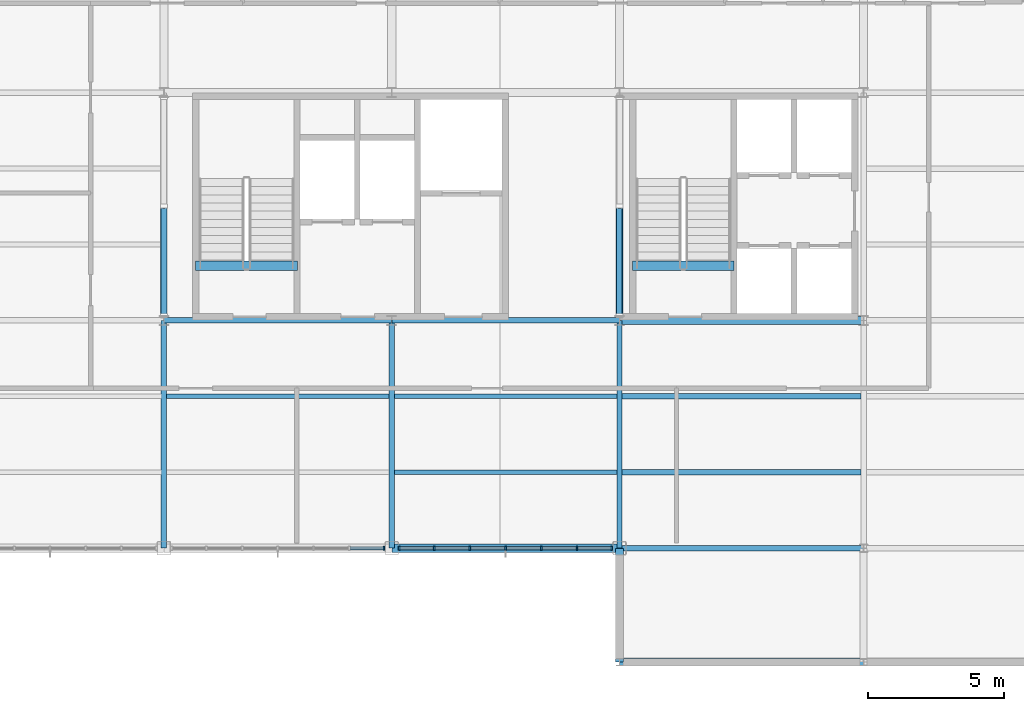
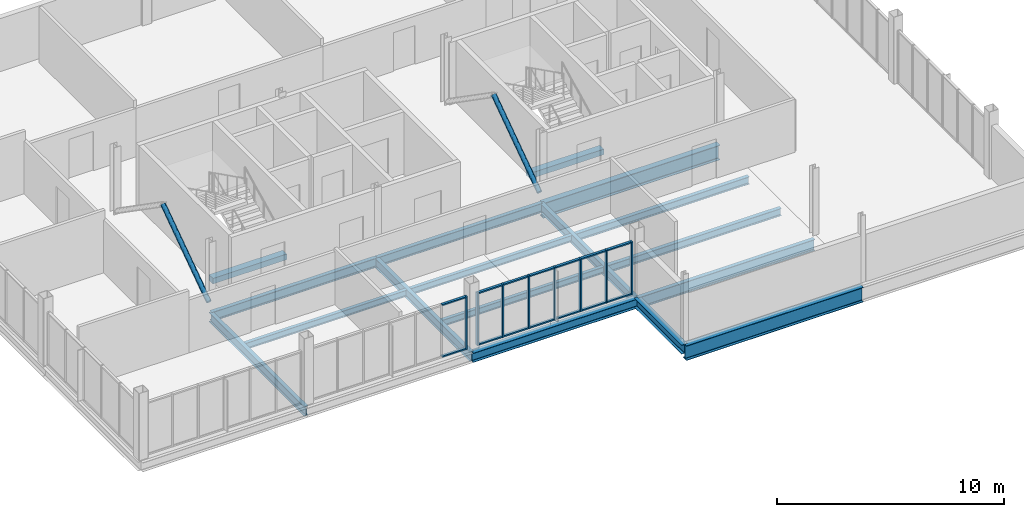
# One storey, part 5 of 16: 24 members, 17 beams, 2 elements without a shape of their own.
"""IFC4 building model written with IfcOpenShell, lengths in metres."""

from ifc_helpers import new_model, si_unit, direction, frame, origin, origin_2d, place, context, subcontext, project, spatial, rectangle, hollow_circle, i_section, extrude, material, layer, layer_set, material_profile, profile_set, type_object, element, aggregate, save


model = new_model("IFC4")

# Units and contexts
model_context = context("Model", 3, precision=1e-05, world=origin(), true_north=direction((0.0, 1.0)))
body_context = subcontext(model_context, "Body", "Model", "MODEL_VIEW")
ifc_project = project(units=[si_unit("LENGTHUNIT", "METRE"), si_unit("AREAUNIT", "SQUARE_METRE"), si_unit("VOLUMEUNIT", "CUBIC_METRE"), si_unit("PLANEANGLEUNIT", "RADIAN"), si_unit("MASSUNIT", "GRAM", prefix="KILO")], contexts=[model_context])

# Site, building, storey
site_placement = place(None, origin())
site = spatial("IfcSite", under=ifc_project, at=site_placement, CompositionType="ELEMENT")
building_placement = place(site_placement, origin())
building = spatial("IfcBuilding", under=site, at=building_placement, Name="Yukiwa Park Conservatory and Herbarium", CompositionType="ELEMENT")
storey_placement = place(building_placement, frame((0.0, 0.0, 39.60009765625)))
storey = spatial("IfcBuildingStorey", under=building, at=storey_placement, Name="L10", CompositionType="ELEMENT", Elevation=39.60009765625)

# Beams
ifc_material_1 = material(Name="Steel Q355D", Category="steel")
ifc_material_profile_1 = material_profile(ifc_material_1, i_section(OverallWidth=0.198974609375, OverallDepth=0.49609375, WebThickness=0.009033203125, FlangeThickness=0.013916015625, FilletRadius=0.02001953125, at=origin_2d()), Name="HN 496x199x9x14")
ifc_profile_set_1 = profile_set([ifc_material_profile_1], Name="Steel Q355D")
beam_type_1 = type_object("IfcBeamType", Name="BM-GRD-HN496", PredefinedType="BEAM", material=ifc_profile_set_1)
for number, where, z_axis, x_axis, name in (
    (1, (133.2060546875, 94.800048828125, -0.5), (1.0, 0.0, 0.0), (0.0, 1.0, 0.0), "L10 grid beam X-9"),
    (2, (141.60595703125, 94.800048828125, -0.5), (1.0, 0.0, 0.0), (0.0, 1.0, 0.0), "L10 grid beam X-10"),
):
    element("IfcBeam", number, at=place(storey_placement, frame(where, z_axis=z_axis, x_axis=x_axis)), inside=storey, type_object=beam_type_1, Name=name, PredefinedType="BEAM", context=body_context, shape_type="SweptSolid", body=[
        extrude(i_section(OverallWidth=0.198974609375, OverallDepth=0.49609375, WebThickness=0.009033203125, FlangeThickness=0.013916015625, FilletRadius=0.02001953125, at=origin_2d()), origin(), (0.0, 0.0, 1.0), 8.387939453125),
    ])
ifc_material_2 = material(Name="Steel Q355D", Category="steel")
ifc_material_profile_2 = material_profile(ifc_material_2, i_section(OverallWidth=0.199951171875, OverallDepth=0.5, WebThickness=0.010009765625, FlangeThickness=0.01611328125, FilletRadius=0.02001953125, at=origin_2d()), Name="HN 500x200x10x16")
ifc_profile_set_2 = profile_set([ifc_material_profile_2], Name="Steel Q355D")
beam_type_2 = type_object("IfcBeamType", Name="BM-GRD-HN500", PredefinedType="BEAM", material=ifc_profile_set_2)
for number, where, z_axis, x_axis, name in (
    (3, (133.199951171875, 86.406005859375, -0.502197265625), (0.0, 1.0, 0.0), (-1.0, 0.0, 0.0), "L10 grid girder Y-26"),
    (4, (141.60009765625, 86.406005859375, -0.502197265625), (0.0, 1.0, 0.0), (-1.0, 0.0, 0.0), "L10 grid girder Y-29"),
    (5, (150.0, 86.406005859375, -0.502197265625), (0.0, 1.0, 0.0), (-1.0, 0.0, 0.0), "L10 grid girder Y-32"),
):
    element("IfcBeam", number, at=place(storey_placement, frame(where, z_axis=z_axis, x_axis=x_axis)), inside=storey, type_object=beam_type_2, Name=name, PredefinedType="BEAM", context=body_context, shape_type="SweptSolid", body=[
        extrude(i_section(OverallWidth=0.199951171875, OverallDepth=0.5, WebThickness=0.010009765625, FlangeThickness=0.01611328125, FilletRadius=0.02001953125, at=origin_2d()), origin(), (0.0, 0.0, 1.0), 8.387939453125),
    ])
ifc_material_3 = material(Name="Steel Q355D", Category="steel")
ifc_material_profile_3 = material_profile(ifc_material_3, i_section(OverallWidth=0.199951171875, OverallDepth=0.60009765625, WebThickness=0.010986328125, FlangeThickness=0.01708984375, FilletRadius=0.02197265625, at=origin_2d()), Name="HN 600x200x11x17")
ifc_profile_set_3 = profile_set([ifc_material_profile_3], Name="Steel Q355D")
beam_type_3 = type_object("IfcBeamType", Name="BM-GRD-HN600", PredefinedType="BEAM", material=ifc_profile_set_3)
beam_1_placement = place(storey_placement, frame((150.006103515625, 86.39990234375, -0.552001953125), z_axis=(1.0, 0.0, 0.0), x_axis=(0.0, 1.0, 0.0)))
element("IfcBeam", 6, at=beam_1_placement, inside=storey, type_object=beam_type_3, Name="L10 grid beam X-6", PredefinedType="BEAM", context=body_context, shape_type="SweptSolid", body=[
    extrude(i_section(OverallWidth=0.199951171875, OverallDepth=0.60009765625, WebThickness=0.010986328125, FlangeThickness=0.01708984375, FilletRadius=0.02197265625, at=origin_2d()), origin(), (0.0, 0.0, 1.0), 8.98779296875),
])
ifc_material_4 = material(Name="Steel Q355D", Category="steel")
ifc_material_profile_4 = material_profile(ifc_material_4, i_section(OverallWidth=0.174072265625, OverallDepth=0.345947265625, WebThickness=0.006103515625, FlangeThickness=0.009033203125, FilletRadius=0.013916015625, at=origin_2d()), Name="HN 346x174x6x9")
ifc_profile_set_4 = profile_set([ifc_material_profile_4], Name="Steel Q355D")
beam_type_4 = type_object("IfcBeamType", Name="BM-JST-HN346", PredefinedType="JOIST", material=ifc_profile_set_4)
for number, where, z_axis, x_axis, name in (
    (7, (133.2958984375, 92.0, -0.425048828125), (1.0, 0.0, 0.0), (0.0, 1.0, 0.0), "L10 composite floor joist 8"),
    (8, (141.696044921875, 89.199951171875, -0.425048828125), (1.0, 0.0, 0.0), (0.0, 1.0, 0.0), "L10 composite floor joist 11"),
    (9, (141.696044921875, 92.0, -0.425048828125), (1.0, 0.0, 0.0), (0.0, 1.0, 0.0), "L10 composite floor joist 12"),
):
    element("IfcBeam", number, at=place(storey_placement, frame(where, z_axis=z_axis, x_axis=x_axis)), inside=storey, type_object=beam_type_4, Name=name, PredefinedType="JOIST", context=body_context, shape_type="SweptSolid", body=[
        extrude(i_section(OverallWidth=0.174072265625, OverallDepth=0.345947265625, WebThickness=0.006103515625, FlangeThickness=0.009033203125, FilletRadius=0.013916015625, at=origin_2d()), origin(), (0.0, 0.0, 1.0), 8.2080078125),
    ])
ifc_material_5 = material(Name="Steel Q355D", Category="steel")
ifc_material_profile_5 = material_profile(ifc_material_5, i_section(OverallWidth=0.198974609375, OverallDepth=0.39599609375, WebThickness=0.007080078125, FlangeThickness=0.010986328125, FilletRadius=0.01611328125, at=origin_2d()), Name="HN 396x199x7x11")
ifc_profile_set_5 = profile_set([ifc_material_profile_5], Name="Steel Q355D")
beam_type_5 = type_object("IfcBeamType", Name="BM-JST-HN396", PredefinedType="JOIST", material=ifc_profile_set_5)
for number, where, z_axis, x_axis, name in (
    (10, (150.095947265625, 89.199951171875, -0.4501953125), (1.0, 0.0, 0.0), (0.0, 1.0, 0.0), "L10 composite floor joist 15"),
    (11, (150.095947265625, 92.0, -0.4501953125), (1.0, 0.0, 0.0), (0.0, 1.0, 0.0), "L10 composite floor joist 16"),
):
    element("IfcBeam", number, at=place(storey_placement, frame(where, z_axis=z_axis, x_axis=x_axis)), inside=storey, type_object=beam_type_5, Name=name, PredefinedType="JOIST", context=body_context, shape_type="SweptSolid", body=[
        extrude(i_section(OverallWidth=0.198974609375, OverallDepth=0.39599609375, WebThickness=0.007080078125, FlangeThickness=0.010986328125, FilletRadius=0.01611328125, at=origin_2d()), origin(), (0.0, 0.0, 1.0), 8.80810546875),
    ])
ifc_material_6 = material(Name="Steel Q355D", Category="steel")
ifc_material_profile_6 = material_profile(ifc_material_6, i_section(OverallWidth=0.300048828125, OverallDepth=0.493896484375, WebThickness=0.010986328125, FlangeThickness=0.014892578125, FilletRadius=0.02392578125, at=origin_2d()), Name="HM 494x300x11x15")
ifc_profile_set_6 = profile_set([ifc_material_profile_6], Name="Steel Q355D")
beam_type_6 = type_object("IfcBeamType", Name="BM-SPN-HN450", PredefinedType="SPANDREL", material=ifc_profile_set_6)
beam_2_placement = place(storey_placement, frame((150.0, 82.2060546875, -0.4990234375), z_axis=(0.0, 1.0, 0.0), x_axis=(-1.0, 0.0, 0.0)))
element("IfcBeam", 12, at=beam_2_placement, inside=storey, type_object=beam_type_6, Name="L10 spandrel girder Y-31", PredefinedType="SPANDREL", context=body_context, shape_type="SweptSolid", body=[
    extrude(i_section(OverallWidth=0.300048828125, OverallDepth=0.493896484375, WebThickness=0.010986328125, FlangeThickness=0.014892578125, FilletRadius=0.02392578125, at=origin_2d()), origin(), (0.0, 0.0, 1.0), 4.18798828125),
])
ifc_material_7 = material(Name="Steel Q355D", Category="steel")
ifc_material_profile_7 = material_profile(ifc_material_7, i_section(OverallWidth=0.300048828125, OverallDepth=0.5, WebThickness=0.010986328125, FlangeThickness=0.01806640625, FilletRadius=0.02392578125, at=origin_2d()), Name="HM 500x300x11x18")
ifc_profile_set_7 = profile_set([ifc_material_profile_7], Name="Steel Q355D")
beam_type_7 = type_object("IfcBeamType", Name="BM-SPN-HN500", PredefinedType="SPANDREL", material=ifc_profile_set_7)
beam_3_placement = place(storey_placement, frame((141.60595703125, 86.39990234375, -0.502197265625), z_axis=(1.0, 0.0, 0.0), x_axis=(0.0, 1.0, 0.0)))
element("IfcBeam", 13, at=beam_3_placement, inside=storey, type_object=beam_type_7, Name="L10 spandrel beam X-5", PredefinedType="SPANDREL", context=body_context, shape_type="SweptSolid", body=[
    extrude(i_section(OverallWidth=0.300048828125, OverallDepth=0.5, WebThickness=0.010986328125, FlangeThickness=0.01806640625, FilletRadius=0.02392578125, at=origin_2d()), origin(), (0.0, 0.0, 1.0), 8.387939453125),
])
ifc_material_8 = material(Name="Steel Q355D", Category="steel")
ifc_material_profile_8 = material_profile(ifc_material_8, i_section(OverallWidth=0.300048828125, OverallDepth=0.7919921875, WebThickness=0.013916015625, FlangeThickness=0.02197265625, FilletRadius=0.028076171875, at=origin_2d()), Name="HN 792x300x14x22")
ifc_profile_set_8 = profile_set([ifc_material_profile_8], Name="Steel Q355D")
beam_type_8 = type_object("IfcBeamType", Name="BM-SPN-HN600", PredefinedType="SPANDREL", material=ifc_profile_set_8)
for number, where, z_axis, x_axis, name in (
    (14, (150.006103515625, 82.199951171875, -0.648193359375), (1.0, 0.0, 0.0), (0.0, 1.0, 0.0), "L10 spandrel beam X-1"),
    (15, (150.006103515625, 94.800048828125, -0.648193359375), (1.0, 0.0, 0.0), (0.0, 1.0, 0.0), "L10 spandrel beam X-11"),
):
    element("IfcBeam", number, at=place(storey_placement, frame(where, z_axis=z_axis, x_axis=x_axis)), inside=storey, type_object=beam_type_8, Name=name, PredefinedType="SPANDREL", context=body_context, shape_type="SweptSolid", body=[
        extrude(i_section(OverallWidth=0.300048828125, OverallDepth=0.7919921875, WebThickness=0.013916015625, FlangeThickness=0.02197265625, FilletRadius=0.028076171875, at=origin_2d()), origin(), (0.0, 0.0, 1.0), 8.98779296875),
    ])
ifc_material_9 = material(Name="Concrete C40", Category="concrete")
ifc_material_profile_9 = material_profile(ifc_material_9, rectangle(XDim=0.35009765625, YDim=0.300048828125, at=origin_2d()), Name="RC 350x300")
ifc_profile_set_9 = profile_set([ifc_material_profile_9], Name="Concrete C40")
beam_type_9 = type_object("IfcBeamType", Name="BM-STAIR-TRIM", PredefinedType="BEAM", material=ifc_profile_set_9)
for number, where, z_axis, x_axis, name in (
    (16, (134.3701171875, 96.81005859375, -0.150146484375), (1.0, 0.0, 0.0), (0.0, 1.0, 0.0), "Stair ST-T1 L10 landing trimmer beam"),
    (17, (150.47998046875, 96.81005859375, -0.150146484375), (1.0, 0.0, 0.0), (0.0, 1.0, 0.0), "Stair ST-T2 L10 landing trimmer beam"),
):
    element("IfcBeam", number, at=place(storey_placement, frame(where, z_axis=z_axis, x_axis=x_axis)), inside=storey, type_object=beam_type_9, Name=name, PredefinedType="BEAM", context=body_context, shape_type="SweptSolid", body=[
        extrude(rectangle(XDim=0.35009765625, YDim=0.300048828125, at=origin_2d()), origin(), (0.0, 0.0, 1.0), 3.75),
    ])

# Members
ifc_material_10 = material(Name="Steel Q355D", Category="steel")
ifc_material_profile_10 = material_profile(ifc_material_10, hollow_circle(Radius=0.122314453125, WallThickness=0.010009765625, at=origin_2d()), Name="CHS 244.5x10")
ifc_profile_set_10 = profile_set([ifc_material_profile_10], Name="Steel Q355D")
member_type_1 = type_object("IfcMemberType", Name="MB-BR-CHS245", PredefinedType="BRACE", material=ifc_profile_set_10)
for number, where, z_axis, x_axis, name in (
    (18, (133.199951171875, 94.970458984375, 0.16796875), (0.0, 0.821318801729, 0.570469478523), (-1.0, 0.0, 0.0), "L10 concentric chevron brace 53"),
    (19, (150.0, 94.970458984375, 0.16796875), (0.0, 0.821318801729, 0.570469478523), (-1.0, 0.0, 0.0), "L10 concentric chevron brace 55"),
):
    element("IfcMember", number, at=place(storey_placement, frame(where, z_axis=z_axis, x_axis=x_axis)), inside=storey, type_object=member_type_1, Name=name, PredefinedType="BRACE", context=body_context, shape_type="SweptSolid", body=[
        extrude(hollow_circle(Radius=0.122314453125, WallThickness=0.010009765625, at=origin_2d()), origin(), (0.0, 0.0, 1.0), 4.90625),
    ])

# Curtain wall, member
ifc_material_11 = material(Name="Triple Low-E Insulated Glass", Category="glass")
ifc_layer = layer(ifc_material_11, 0.248046875)
ifc_layer_set = layer_set([ifc_layer], Name="Triple Low-E Insulated Glass")
curtain_wall_type = type_object("IfcCurtainWallType", Name="CW-TOWER-LAB-S-1400", PredefinedType="NOTDEFINED", material=ifc_layer_set)
curtain_wall_1_placement = place(storey_placement, origin())
curtain_wall_1 = element("IfcCurtainWall", 20, at=curtain_wall_1_placement, inside=storey, type_object=curtain_wall_type, Name="L10 unitised curtain wall CW-L10-110", PredefinedType="NOTDEFINED")
ifc_material_12 = material(Name="Anodised Aluminium", Category="aluminium")
member_type_2 = type_object("IfcMemberType", Name="MB-CW-MUL-70X150", PredefinedType="MULLION", material=ifc_material_12)
member_1_placement = place(storey_placement, frame((141.31494140625, 86.39990234375, 0.0), z_axis=(0.0, 0.0, 1.0), x_axis=(1.0, 0.0, 0.0)))
member_1 = element("IfcMember", 21, at=member_1_placement, type_object=member_type_2, Name="CW-L10-110 mullion 7", PredefinedType="MULLION", context=body_context, shape_type="SweptSolid", body=[
    extrude(rectangle(XDim=0.070068359375, YDim=0.14990234375, at=origin_2d()), origin(), (0.0, 0.0, 1.0), 2.842041015625),
])

# Curtain wall, members
curtain_wall_2_placement = place(storey_placement, origin())
curtain_wall_2 = element("IfcCurtainWall", 22, at=curtain_wall_2_placement, inside=storey, type_object=curtain_wall_type, Name="L10 unitised curtain wall CW-L10-111", PredefinedType="NOTDEFINED")
member_2_placement = place(storey_placement, frame((141.885009765625, 86.39990234375, 0.0), z_axis=(0.0, 0.0, 1.0), x_axis=(1.0, 0.0, 0.0)))
member_2 = element("IfcMember", 23, at=member_2_placement, type_object=member_type_2, Name="CW-L10-111 mullion 1", PredefinedType="MULLION", context=body_context, shape_type="SweptSolid", body=[
    extrude(rectangle(XDim=0.070068359375, YDim=0.14990234375, at=origin_2d()), origin(), (0.0, 0.0, 1.0), 2.842041015625),
])
member_3_placement = place(storey_placement, frame((143.166748046875, 86.39990234375, 0.0), z_axis=(0.0, 0.0, 1.0), x_axis=(1.0, 0.0, 0.0)))
member_3 = element("IfcMember", 24, at=member_3_placement, type_object=member_type_2, Name="CW-L10-111 mullion 2", PredefinedType="MULLION", context=body_context, shape_type="SweptSolid", body=[
    extrude(rectangle(XDim=0.070068359375, YDim=0.14990234375, at=origin_2d()), origin(), (0.0, 0.0, 1.0), 2.842041015625),
])
member_4_placement = place(storey_placement, frame((144.4833984375, 86.39990234375, 0.0), z_axis=(0.0, 0.0, 1.0), x_axis=(1.0, 0.0, 0.0)))
member_4 = element("IfcMember", 25, at=member_4_placement, type_object=member_type_2, Name="CW-L10-111 mullion 3", PredefinedType="MULLION", context=body_context, shape_type="SweptSolid", body=[
    extrude(rectangle(XDim=0.070068359375, YDim=0.14990234375, at=origin_2d()), origin(), (0.0, 0.0, 1.0), 2.842041015625),
])
member_5_placement = place(storey_placement, frame((145.800048828125, 86.39990234375, 0.0), z_axis=(0.0, 0.0, 1.0), x_axis=(1.0, 0.0, 0.0)))
member_5 = element("IfcMember", 26, at=member_5_placement, type_object=member_type_2, Name="CW-L10-111 mullion 4", PredefinedType="MULLION", context=body_context, shape_type="SweptSolid", body=[
    extrude(rectangle(XDim=0.070068359375, YDim=0.14990234375, at=origin_2d()), origin(), (0.0, 0.0, 1.0), 2.842041015625),
])
member_6_placement = place(storey_placement, frame((147.11669921875, 86.39990234375, 0.0), z_axis=(0.0, 0.0, 1.0), x_axis=(1.0, 0.0, 0.0)))
member_6 = element("IfcMember", 27, at=member_6_placement, type_object=member_type_2, Name="CW-L10-111 mullion 5", PredefinedType="MULLION", context=body_context, shape_type="SweptSolid", body=[
    extrude(rectangle(XDim=0.070068359375, YDim=0.14990234375, at=origin_2d()), origin(), (0.0, 0.0, 1.0), 2.842041015625),
])
member_7_placement = place(storey_placement, frame((148.433349609375, 86.39990234375, 0.0), z_axis=(0.0, 0.0, 1.0), x_axis=(1.0, 0.0, 0.0)))
member_7 = element("IfcMember", 28, at=member_7_placement, type_object=member_type_2, Name="CW-L10-111 mullion 6", PredefinedType="MULLION", context=body_context, shape_type="SweptSolid", body=[
    extrude(rectangle(XDim=0.070068359375, YDim=0.14990234375, at=origin_2d()), origin(), (0.0, 0.0, 1.0), 2.842041015625),
])
member_8_placement = place(storey_placement, frame((149.715087890625, 86.39990234375, 0.0), z_axis=(0.0, 0.0, 1.0), x_axis=(1.0, 0.0, 0.0)))
member_8 = element("IfcMember", 29, at=member_8_placement, type_object=member_type_2, Name="CW-L10-111 mullion 7", PredefinedType="MULLION", context=body_context, shape_type="SweptSolid", body=[
    extrude(rectangle(XDim=0.070068359375, YDim=0.14990234375, at=origin_2d()), origin(), (0.0, 0.0, 1.0), 2.842041015625),
])

# Member
ifc_material_13 = material(Name="Anodised Aluminium", Category="aluminium")
member_type_3 = type_object("IfcMemberType", Name="MB-CW-TRN-70X130", PredefinedType="USERDEFINED", material=ifc_material_13)
member_9_placement = place(storey_placement, frame((140.691650390625, 86.39990234375, 0.0), z_axis=(0.0, 0.0, 1.0), x_axis=(1.0, 0.0, 0.0)))
member_9 = element("IfcMember", 30, at=member_9_placement, type_object=member_type_3, Name="CW-L10-110 transom 6.1", ObjectType="TRANSOM", PredefinedType="USERDEFINED", context=body_context, shape_type="SweptSolid", body=[
    extrude(rectangle(XDim=1.24658203125, YDim=0.1298828125, at=origin_2d()), origin(), (0.0, 0.0, 1.0), 0.070068359375),
])

member_10_placement = place(storey_placement, frame((140.691650390625, 86.39990234375, 2.77197265625), z_axis=(0.0, 0.0, 1.0), x_axis=(1.0, 0.0, 0.0)))
member_10 = element("IfcMember", 31, at=member_10_placement, type_object=member_type_3, Name="CW-L10-110 transom 6.2", ObjectType="TRANSOM", PredefinedType="USERDEFINED", context=body_context, shape_type="SweptSolid", body=[
    extrude(rectangle(XDim=1.24658203125, YDim=0.1298828125, at=origin_2d()), origin(), (0.0, 0.0, 1.0), 0.070068359375),
])

aggregate(curtain_wall_1, [member_1, member_9, member_10])

member_11_placement = place(storey_placement, frame((142.50830078125, 86.39990234375, 0.0), z_axis=(0.0, 0.0, 1.0), x_axis=(1.0, 0.0, 0.0)))
member_11 = element("IfcMember", 32, at=member_11_placement, type_object=member_type_3, Name="CW-L10-111 transom 1.1", ObjectType="TRANSOM", PredefinedType="USERDEFINED", context=body_context, shape_type="SweptSolid", body=[
    extrude(rectangle(XDim=1.24658203125, YDim=0.1298828125, at=origin_2d()), origin(), (0.0, 0.0, 1.0), 0.070068359375),
])

member_12_placement = place(storey_placement, frame((142.50830078125, 86.39990234375, 2.77197265625), z_axis=(0.0, 0.0, 1.0), x_axis=(1.0, 0.0, 0.0)))
member_12 = element("IfcMember", 33, at=member_12_placement, type_object=member_type_3, Name="CW-L10-111 transom 1.2", ObjectType="TRANSOM", PredefinedType="USERDEFINED", context=body_context, shape_type="SweptSolid", body=[
    extrude(rectangle(XDim=1.24658203125, YDim=0.1298828125, at=origin_2d()), origin(), (0.0, 0.0, 1.0), 0.070068359375),
])

member_13_placement = place(storey_placement, frame((143.824951171875, 86.39990234375, 0.0), z_axis=(0.0, 0.0, 1.0), x_axis=(1.0, 0.0, 0.0)))
member_13 = element("IfcMember", 34, at=member_13_placement, type_object=member_type_3, Name="CW-L10-111 transom 2.1", ObjectType="TRANSOM", PredefinedType="USERDEFINED", context=body_context, shape_type="SweptSolid", body=[
    extrude(rectangle(XDim=1.24658203125, YDim=0.1298828125, at=origin_2d()), origin(), (0.0, 0.0, 1.0), 0.070068359375),
])

member_14_placement = place(storey_placement, frame((143.824951171875, 86.39990234375, 2.77197265625), z_axis=(0.0, 0.0, 1.0), x_axis=(1.0, 0.0, 0.0)))
member_14 = element("IfcMember", 35, at=member_14_placement, type_object=member_type_3, Name="CW-L10-111 transom 2.2", ObjectType="TRANSOM", PredefinedType="USERDEFINED", context=body_context, shape_type="SweptSolid", body=[
    extrude(rectangle(XDim=1.24658203125, YDim=0.1298828125, at=origin_2d()), origin(), (0.0, 0.0, 1.0), 0.070068359375),
])

member_15_placement = place(storey_placement, frame((145.1416015625, 86.39990234375, 0.0), z_axis=(0.0, 0.0, 1.0), x_axis=(1.0, 0.0, 0.0)))
member_15 = element("IfcMember", 36, at=member_15_placement, type_object=member_type_3, Name="CW-L10-111 transom 3.1", ObjectType="TRANSOM", PredefinedType="USERDEFINED", context=body_context, shape_type="SweptSolid", body=[
    extrude(rectangle(XDim=1.24658203125, YDim=0.1298828125, at=origin_2d()), origin(), (0.0, 0.0, 1.0), 0.070068359375),
])

member_16_placement = place(storey_placement, frame((145.1416015625, 86.39990234375, 2.77197265625), z_axis=(0.0, 0.0, 1.0), x_axis=(1.0, 0.0, 0.0)))
member_16 = element("IfcMember", 37, at=member_16_placement, type_object=member_type_3, Name="CW-L10-111 transom 3.2", ObjectType="TRANSOM", PredefinedType="USERDEFINED", context=body_context, shape_type="SweptSolid", body=[
    extrude(rectangle(XDim=1.24658203125, YDim=0.1298828125, at=origin_2d()), origin(), (0.0, 0.0, 1.0), 0.070068359375),
])

member_17_placement = place(storey_placement, frame((146.458251953125, 86.39990234375, 0.0), z_axis=(0.0, 0.0, 1.0), x_axis=(1.0, 0.0, 0.0)))
member_17 = element("IfcMember", 38, at=member_17_placement, type_object=member_type_3, Name="CW-L10-111 transom 4.1", ObjectType="TRANSOM", PredefinedType="USERDEFINED", context=body_context, shape_type="SweptSolid", body=[
    extrude(rectangle(XDim=1.24658203125, YDim=0.1298828125, at=origin_2d()), origin(), (0.0, 0.0, 1.0), 0.070068359375),
])

member_18_placement = place(storey_placement, frame((146.458251953125, 86.39990234375, 2.77197265625), z_axis=(0.0, 0.0, 1.0), x_axis=(1.0, 0.0, 0.0)))
member_18 = element("IfcMember", 39, at=member_18_placement, type_object=member_type_3, Name="CW-L10-111 transom 4.2", ObjectType="TRANSOM", PredefinedType="USERDEFINED", context=body_context, shape_type="SweptSolid", body=[
    extrude(rectangle(XDim=1.24658203125, YDim=0.1298828125, at=origin_2d()), origin(), (0.0, 0.0, 1.0), 0.070068359375),
])

member_19_placement = place(storey_placement, frame((147.77490234375, 86.39990234375, 0.0), z_axis=(0.0, 0.0, 1.0), x_axis=(1.0, 0.0, 0.0)))
member_19 = element("IfcMember", 40, at=member_19_placement, type_object=member_type_3, Name="CW-L10-111 transom 5.1", ObjectType="TRANSOM", PredefinedType="USERDEFINED", context=body_context, shape_type="SweptSolid", body=[
    extrude(rectangle(XDim=1.24658203125, YDim=0.1298828125, at=origin_2d()), origin(), (0.0, 0.0, 1.0), 0.070068359375),
])

member_20_placement = place(storey_placement, frame((147.77490234375, 86.39990234375, 2.77197265625), z_axis=(0.0, 0.0, 1.0), x_axis=(1.0, 0.0, 0.0)))
member_20 = element("IfcMember", 41, at=member_20_placement, type_object=member_type_3, Name="CW-L10-111 transom 5.2", ObjectType="TRANSOM", PredefinedType="USERDEFINED", context=body_context, shape_type="SweptSolid", body=[
    extrude(rectangle(XDim=1.24658203125, YDim=0.1298828125, at=origin_2d()), origin(), (0.0, 0.0, 1.0), 0.070068359375),
])

member_21_placement = place(storey_placement, frame((149.091796875, 86.39990234375, 0.0), z_axis=(0.0, 0.0, 1.0), x_axis=(1.0, 0.0, 0.0)))
member_21 = element("IfcMember", 42, at=member_21_placement, type_object=member_type_3, Name="CW-L10-111 transom 6.1", ObjectType="TRANSOM", PredefinedType="USERDEFINED", context=body_context, shape_type="SweptSolid", body=[
    extrude(rectangle(XDim=1.24658203125, YDim=0.1298828125, at=origin_2d()), origin(), (0.0, 0.0, 1.0), 0.070068359375),
])

member_22_placement = place(storey_placement, frame((149.091796875, 86.39990234375, 2.77197265625), z_axis=(0.0, 0.0, 1.0), x_axis=(1.0, 0.0, 0.0)))
member_22 = element("IfcMember", 43, at=member_22_placement, type_object=member_type_3, Name="CW-L10-111 transom 6.2", ObjectType="TRANSOM", PredefinedType="USERDEFINED", context=body_context, shape_type="SweptSolid", body=[
    extrude(rectangle(XDim=1.24658203125, YDim=0.1298828125, at=origin_2d()), origin(), (0.0, 0.0, 1.0), 0.070068359375),
])

aggregate(curtain_wall_2, [member_2, member_3, member_4, member_5, member_6, member_7, member_8, member_11, member_12, member_13, member_14, member_15, member_16, member_17, member_18, member_19, member_20, member_21, member_22])

save(model, "model.ifc")
